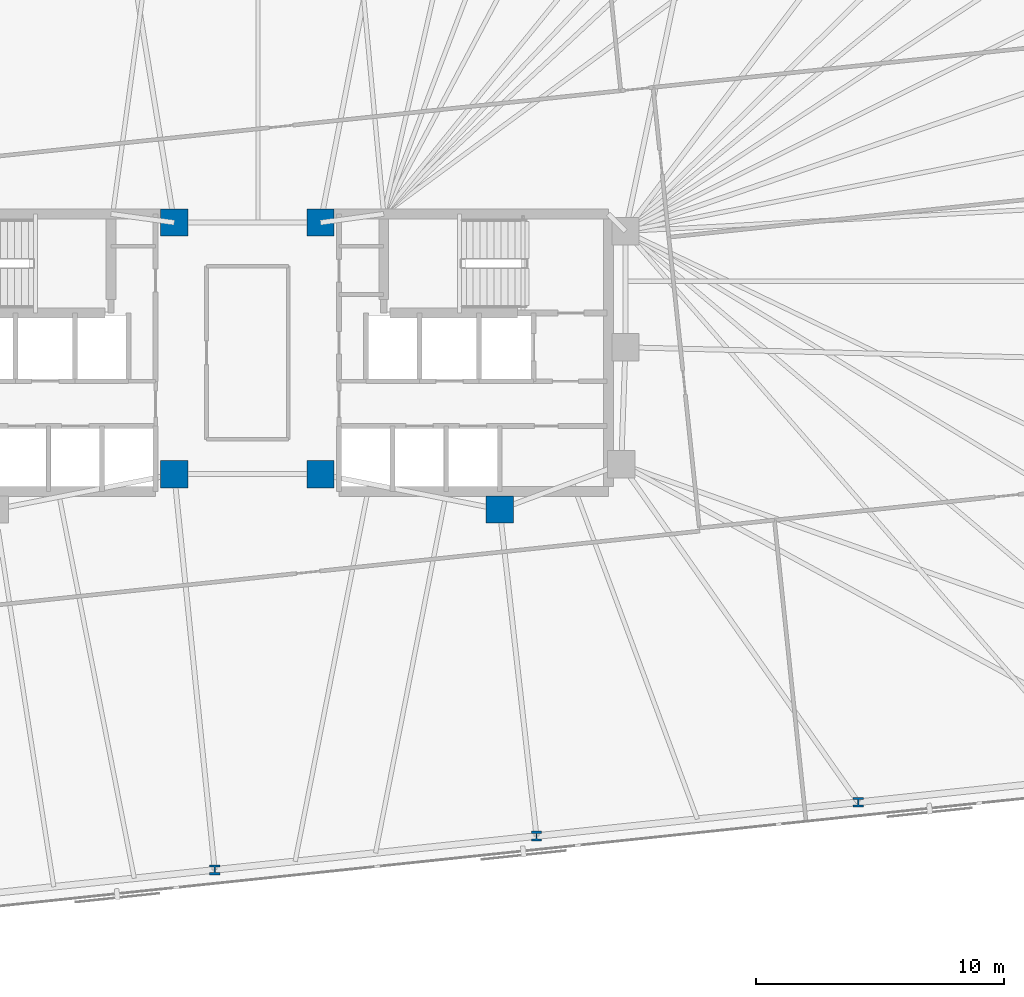
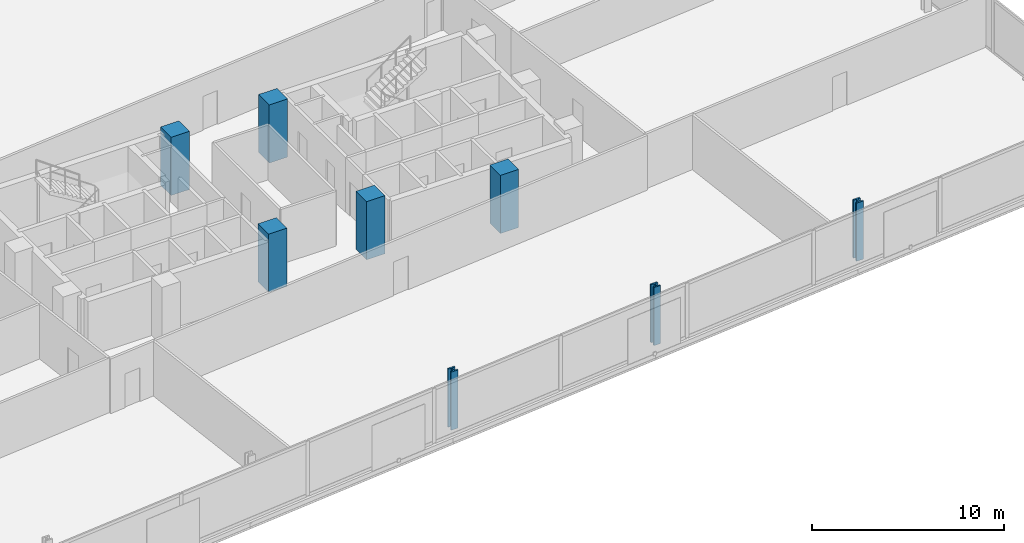
# One storey, part 3 of 18: 8 columns.
"""IFC4 building model written with IfcOpenShell, lengths in metres."""

from ifc_helpers import new_model, si_unit, direction, frame, origin, origin_2d, place, context, subcontext, project, spatial, rectangle, i_section, extrude, material, material_profile, profile_set, type_object, element, save


model = new_model("IFC4")

# Units and contexts
model_context = context("Model", 3, precision=1e-05, world=origin(), true_north=direction((0.0, 1.0)))
body_context = subcontext(model_context, "Body", "Model", "MODEL_VIEW")
ifc_project = project(units=[si_unit("LENGTHUNIT", "METRE"), si_unit("AREAUNIT", "SQUARE_METRE"), si_unit("VOLUMEUNIT", "CUBIC_METRE"), si_unit("PLANEANGLEUNIT", "RADIAN"), si_unit("MASSUNIT", "GRAM", prefix="KILO")], contexts=[model_context])

# Site, building, storey
site_placement = place(None, origin())
site = spatial("IfcSite", under=ifc_project, at=site_placement, CompositionType="ELEMENT")
building_placement = place(site_placement, origin())
building = spatial("IfcBuilding", under=site, at=building_placement, Name="Menara Jurai Vektor", CompositionType="ELEMENT")
storey_placement = place(building_placement, frame((0.0, 0.0, 91.10009765625)))
storey = spatial("IfcBuildingStorey", under=building, at=storey_placement, Name="L22", CompositionType="ELEMENT", Elevation=91.10009765625)

# Columns
ifc_material_1 = material(Name="Concrete C50/60", Category="concrete")
ifc_material_profile_1 = material_profile(ifc_material_1, rectangle(XDim=1.10009765625, YDim=1.10009765625, at=origin_2d()), Name="RC 1100x1100")
ifc_profile_set_1 = profile_set([ifc_material_profile_1], Name="Concrete C50/60")
column_type_1 = type_object("IfcColumnType", Name="STR-COL-RC1100", PredefinedType="COLUMN", material=ifc_profile_set_1)
for number, where, z_axis, x_axis, name in (
    (1, (-2.949951171875, -4.89990234375, 0.0), (0.0, 0.0, 1.0), (1.0, 0.0, 0.0), "Core Spine Column CW-SE L22"),
    (2, (-2.949951171875, 5.25, 0.0), (0.0, 0.0, 1.0), (1.0, 0.0, 0.0), "Core Spine Column CW-NE L22"),
    (3, (10.179931640625, -6.320068359375, 0.0), (0.0, 0.0, 1.0), (1.0, 0.0, 0.0), "Core Spine Column CE-SM L22"),
    (4, (2.949951171875, -4.89990234375, 0.0), (0.0, 0.0, 1.0), (1.0, 0.0, 0.0), "Core Spine Column CE-SW L22"),
    (5, (2.949951171875, 5.25, 0.0), (0.0, 0.0, 1.0), (1.0, 0.0, 0.0), "Core Spine Column CE-NW L22"),
):
    element("IfcColumn", number, at=place(storey_placement, frame(where, z_axis=z_axis, x_axis=x_axis)), inside=storey, type_object=column_type_1, Name=name, PredefinedType="COLUMN", context=body_context, shape_type="SweptSolid", body=[
        extrude(rectangle(XDim=1.10009765625, YDim=1.10009765625, at=origin_2d()), origin(), (0.0, 0.0, 1.0), 3.699951171875),
    ])
ifc_material_2 = material(Name="Steel S460", Category="steel")
ifc_material_profile_2 = material_profile(ifc_material_2, i_section(OverallWidth=0.4130859375, OverallDepth=0.39794921875, WebThickness=0.055908203125, FlangeThickness=0.089111328125, FilletRadius=0.014892578125, at=origin_2d()), Name="HD 400x744")
ifc_profile_set_2 = profile_set([ifc_material_profile_2], Name="Steel S460")
column_type_2 = type_object("IfcColumnType", Name="STR-EXO-BLK2", PredefinedType="COLUMN", material=ifc_profile_set_2)
for number, where, z_axis, x_axis, name in (
    (6, (-1.317138671875, -20.857666015625, 0.0), (0.0, 0.0, 1.0), (1.0, 0.0, 0.0), "Exoskeleton Column BLK2-S3 L22"),
    (7, (11.66259765625, -19.49365234375, 0.0), (0.0, 0.0, 1.0), (1.0, 0.0, 0.0), "Exoskeleton Column BLK2-S4 L22"),
    (8, (24.642333984375, -18.12939453125, 0.0), (0.0, 0.0, 1.0), (1.0, 0.0, 0.0), "Exoskeleton Column BLK2-S5 L22"),
):
    element("IfcColumn", number, at=place(storey_placement, frame(where, z_axis=z_axis, x_axis=x_axis)), inside=storey, type_object=column_type_2, Name=name, PredefinedType="COLUMN", context=body_context, shape_type="SweptSolid", body=[
        extrude(i_section(OverallWidth=0.4130859375, OverallDepth=0.39794921875, WebThickness=0.055908203125, FlangeThickness=0.089111328125, FilletRadius=0.014892578125, at=origin_2d()), origin(), (0.0, 0.0, 1.0), 3.699951171875),
    ])

save(model, "model.ifc")
